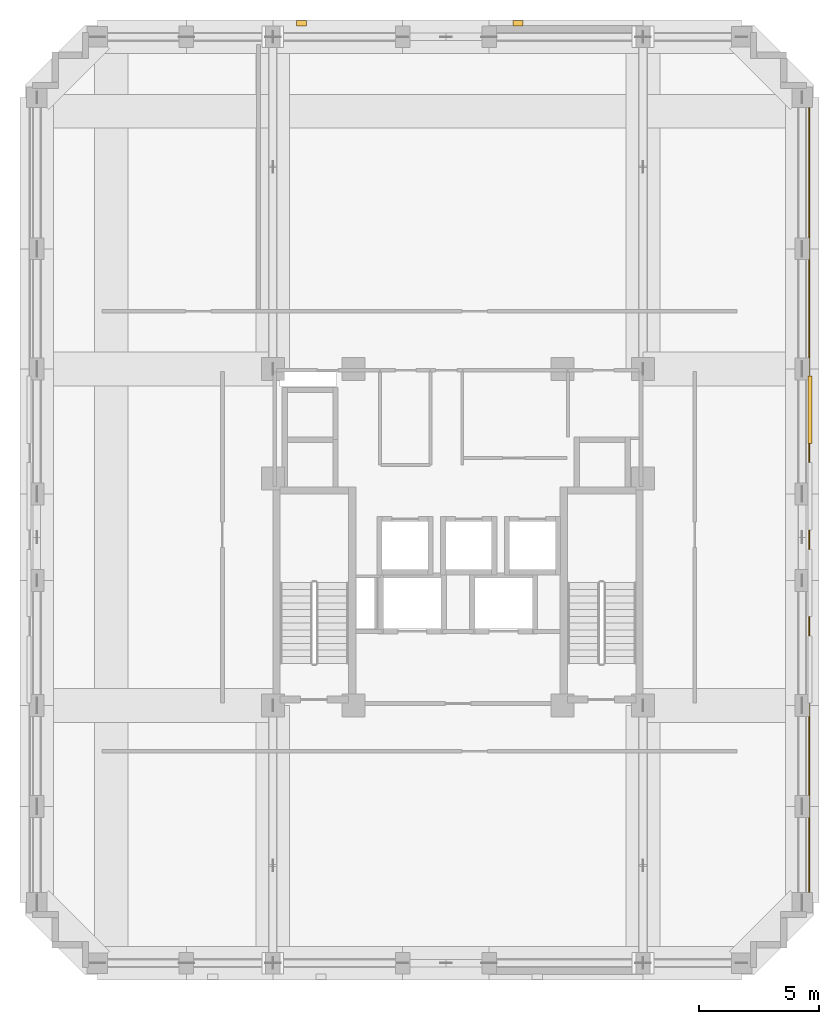
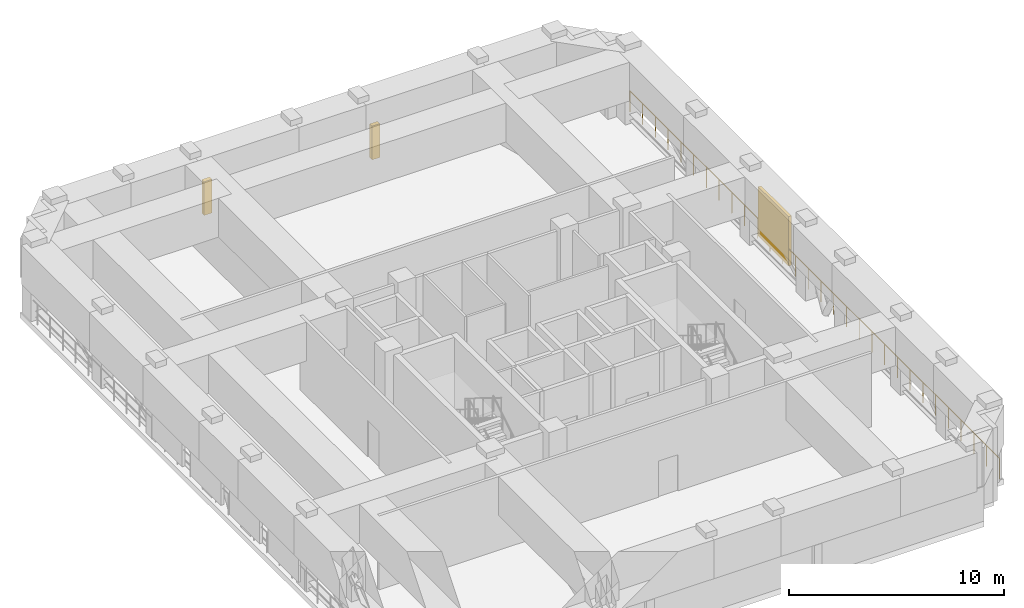
# One storey, part 12 of 12: 2 coverings, 1 railing, 1 shading device.
"""IFC4 building model written with IfcOpenShell, lengths in metres."""

from ifc_helpers import new_model, si_unit, derived_unit, direction, frame, origin, origin_2d, place, context, subcontext, project, spatial, rectangle, circle, extrude, material, layer, layer_set, type_object, element, save


model = new_model("IFC4")

# Units and contexts
model_context = context("Model", 3, precision=1e-05, world=origin(), true_north=direction((0.0, 1.0)))
body_context = subcontext(model_context, "Body", "Model", "MODEL_VIEW")
ifc_project = project(units=[si_unit("LENGTHUNIT", "METRE"), si_unit("AREAUNIT", "SQUARE_METRE"), si_unit("VOLUMEUNIT", "CUBIC_METRE"), si_unit("PLANEANGLEUNIT", "RADIAN"), si_unit("MASSUNIT", "GRAM", prefix="KILO"), derived_unit("THERMALTRANSMITTANCEUNIT", [(si_unit("MASSUNIT", "GRAM", prefix="KILO"), 1), (si_unit("TIMEUNIT", "SECOND"), -3), (si_unit("THERMODYNAMICTEMPERATUREUNIT", "KELVIN"), -1)])], contexts=[model_context])

# Site, building, storey
site_placement = place(None, origin())
site = spatial("IfcSite", under=ifc_project, at=site_placement, CompositionType="ELEMENT")
building_placement = place(site_placement, origin())
building = spatial("IfcBuilding", under=site, at=building_placement, Name="Korrvale Station Residences", CompositionType="ELEMENT")
storey_placement = place(building_placement, frame((0.0, 0.0, 169.89990234375)))
storey = spatial("IfcBuildingStorey", under=building, at=storey_placement, Name="L49", CompositionType="ELEMENT", Elevation=169.89990234375)

# Coverings
ifc_material_1 = material(Name="Architectural precast concrete C45/55", Category="concrete")
ifc_layer = layer(ifc_material_1, 0.219970703125, Name="Architectural precast concrete C45/55")
ifc_layer_set = layer_set([ifc_layer], Name="Architectural precast concrete C45/55")
covering_type = type_object("IfcCoveringType", Name="COV-PIER-400", PredefinedType="CLADDING", material=ifc_layer_set)
for number, where, z_axis, x_axis, name in (
    (1, (19.0, 43.389892578125, 0.025146484375), (0.0, 0.0, 1.0), (1.0, 0.0, 0.0), "L49 Architectural Precast Facade Pier 04"),
    (2, (28.0, 43.389892578125, 0.025146484375), (0.0, 0.0, 1.0), (1.0, 0.0, 0.0), "L49 Architectural Precast Facade Pier 05"),
):
    element("IfcCovering", number, at=place(storey_placement, frame(where, z_axis=z_axis, x_axis=x_axis)), inside=storey, type_object=covering_type, Name=name, PredefinedType="CLADDING", context=body_context, shape_type="SweptSolid", body=[
        extrude(rectangle(XDim=0.419921875, YDim=0.219970703125, at=origin_2d()), origin(), (0.0, 0.0, 1.0), 1.9150390625),
    ])

# Railing
ifc_material_2 = material(Name="Galvanised steel refuge perimeter guard", Category="steel")
railing_type = type_object("IfcRailingType", Name="RLG-REF-1200", PredefinedType="GUARDRAIL", material=ifc_material_2)
railing_placement = place(storey_placement, frame((40.1201171875, 6.39990234375, 0.0)))
element("IfcRailing", 3, at=railing_placement, inside=storey, type_object=railing_type, Name="L49 Open Refuge Band Perimeter Guard East", PredefinedType="GUARDRAIL", context=body_context, shape_type="SweptSolid", body=[
    extrude(circle(Radius=0.02392578125, at=origin_2d()), frame((0.0, 0.0, 1.17578125), z_axis=(0.0, 1.0, 0.0), x_axis=(-1.0, 0.0, 0.0)), (0.0, 0.0, 1.0), 34.300048828125),
    extrude(circle(Radius=0.02099609375, at=origin_2d()), origin(), (0.0, 0.0, 1.0), 1.15185546875),
    extrude(circle(Radius=0.02099609375, at=origin_2d()), frame((0.0, 1.182861328125, 0.0)), (0.0, 0.0, 1.0), 1.15185546875),
    extrude(circle(Radius=0.02099609375, at=origin_2d()), frame((0.0, 2.365478515625, 0.0)), (0.0, 0.0, 1.0), 1.15185546875),
    extrude(circle(Radius=0.02099609375, at=origin_2d()), frame((0.0, 3.54833984375, 0.0)), (0.0, 0.0, 1.0), 1.15185546875),
    extrude(circle(Radius=0.02099609375, at=origin_2d()), frame((0.0, 4.73095703125, 0.0)), (0.0, 0.0, 1.0), 1.15185546875),
    extrude(circle(Radius=0.02099609375, at=origin_2d()), frame((0.0, 5.913818359375, 0.0)), (0.0, 0.0, 1.0), 1.15185546875),
    extrude(circle(Radius=0.02099609375, at=origin_2d()), frame((0.0, 7.0966796875, 0.0)), (0.0, 0.0, 1.0), 1.15185546875),
    extrude(circle(Radius=0.02099609375, at=origin_2d()), frame((0.0, 8.279296875, 0.0)), (0.0, 0.0, 1.0), 1.15185546875),
    extrude(circle(Radius=0.02099609375, at=origin_2d()), frame((0.0, 9.462158203125, 0.0)), (0.0, 0.0, 1.0), 1.15185546875),
    extrude(circle(Radius=0.02099609375, at=origin_2d()), frame((0.0, 10.644775390625, 0.0)), (0.0, 0.0, 1.0), 1.15185546875),
    extrude(circle(Radius=0.02099609375, at=origin_2d()), frame((0.0, 11.82763671875, 0.0)), (0.0, 0.0, 1.0), 1.15185546875),
    extrude(circle(Radius=0.02099609375, at=origin_2d()), frame((0.0, 13.01025390625, 0.0)), (0.0, 0.0, 1.0), 1.15185546875),
    extrude(circle(Radius=0.02099609375, at=origin_2d()), frame((0.0, 14.193115234375, 0.0)), (0.0, 0.0, 1.0), 1.15185546875),
    extrude(circle(Radius=0.02099609375, at=origin_2d()), frame((0.0, 15.3759765625, 0.0)), (0.0, 0.0, 1.0), 1.15185546875),
    extrude(circle(Radius=0.02099609375, at=origin_2d()), frame((0.0, 16.55859375, 0.0)), (0.0, 0.0, 1.0), 1.15185546875),
    extrude(circle(Radius=0.02099609375, at=origin_2d()), frame((0.0, 17.741455078125, 0.0)), (0.0, 0.0, 1.0), 1.15185546875),
    extrude(circle(Radius=0.02099609375, at=origin_2d()), frame((0.0, 18.924072265625, 0.0)), (0.0, 0.0, 1.0), 1.15185546875),
    extrude(circle(Radius=0.02099609375, at=origin_2d()), frame((0.0, 20.10693359375, 0.0)), (0.0, 0.0, 1.0), 1.15185546875),
    extrude(circle(Radius=0.02099609375, at=origin_2d()), frame((0.0, 21.289794921875, 0.0)), (0.0, 0.0, 1.0), 1.15185546875),
    extrude(circle(Radius=0.02099609375, at=origin_2d()), frame((0.0, 22.472412109375, 0.0)), (0.0, 0.0, 1.0), 1.15185546875),
    extrude(circle(Radius=0.02099609375, at=origin_2d()), frame((0.0, 23.6552734375, 0.0)), (0.0, 0.0, 1.0), 1.15185546875),
    extrude(circle(Radius=0.02099609375, at=origin_2d()), frame((0.0, 24.837890625, 0.0)), (0.0, 0.0, 1.0), 1.15185546875),
    extrude(circle(Radius=0.02099609375, at=origin_2d()), frame((0.0, 26.020751953125, 0.0)), (0.0, 0.0, 1.0), 1.15185546875),
    extrude(circle(Radius=0.02099609375, at=origin_2d()), frame((0.0, 27.203369140625, 0.0)), (0.0, 0.0, 1.0), 1.15185546875),
    extrude(circle(Radius=0.02099609375, at=origin_2d()), frame((0.0, 28.38623046875, 0.0)), (0.0, 0.0, 1.0), 1.15185546875),
    extrude(circle(Radius=0.02099609375, at=origin_2d()), frame((0.0, 29.569091796875, 0.0)), (0.0, 0.0, 1.0), 1.15185546875),
    extrude(circle(Radius=0.02099609375, at=origin_2d()), frame((0.0, 30.751708984375, 0.0)), (0.0, 0.0, 1.0), 1.15185546875),
    extrude(circle(Radius=0.02099609375, at=origin_2d()), frame((0.0, 31.9345703125, 0.0)), (0.0, 0.0, 1.0), 1.15185546875),
    extrude(circle(Radius=0.02099609375, at=origin_2d()), frame((0.0, 33.1171875, 0.0)), (0.0, 0.0, 1.0), 1.15185546875),
    extrude(circle(Radius=0.02099609375, at=origin_2d()), frame((0.0, 34.300048828125, 0.0)), (0.0, 0.0, 1.0), 1.15185546875),
])

# Shading device
ifc_material_3 = material(Name="Powder-coated aluminium acoustic louvre", Category="aluminium")
shading_device_type = type_object("IfcShadingDeviceType", Name="SHD-LVR-REF", PredefinedType="USERDEFINED", material=ifc_material_3)
shading_device_placement = place(storey_placement, frame((40.14990234375, 27.300048828125, 0.25), z_axis=(0.0, 0.0, 1.0), x_axis=(1.0, 0.0, 0.0)))
element("IfcShadingDevice", 4, at=shading_device_placement, inside=storey, type_object=shading_device_type, Name="L49 Open Refuge Band Acoustic Storm Louvre East 4", ObjectType="LOUVRE", PredefinedType="USERDEFINED", context=body_context, shape_type="SweptSolid", body=[
    extrude(rectangle(XDim=0.159912109375, YDim=2.800048828125, at=origin_2d()), origin(), (0.0, 0.0, 1.0), 2.800048828125),
])

save(model, "model.ifc")
